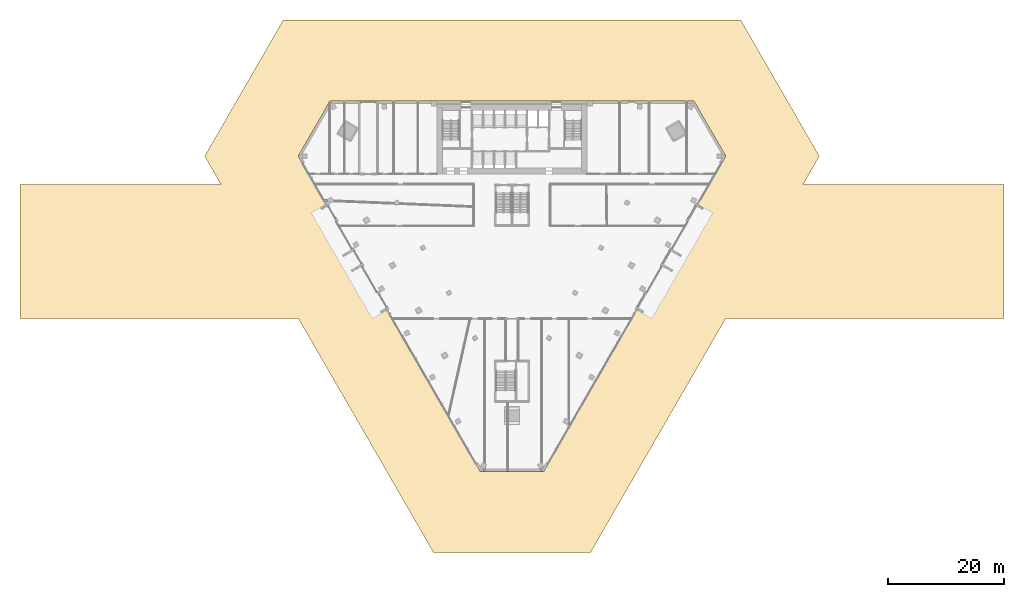
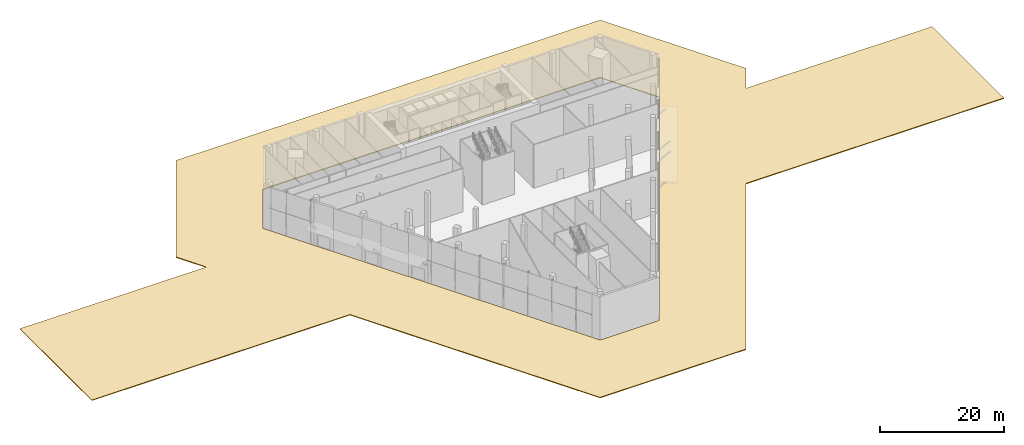
# One storey, part 18 of 21: 1 covering.
"""IFC4 building model written with IfcOpenShell, lengths in metres."""

import ifcopenshell
import ifcopenshell.guid

model = None  # the IFC model being written
_history = None  # IfcOwnerHistory: only IFC2X3 demands one
_inside = {}  # id of a spatial element -> (the spatial element, [elements in it])
_under = {}  # id of a project, library or spatial element -> (it, [spatial elements below it])
_declared = {}  # id of a project -> (the project, [libraries it declares])
_typed = {}  # id of a type object -> (the type object, [elements of that type])
_made_of = {}  # id of a material, layer set ... -> (it, [elements and type objects made of it])


def new_model(schema):
    """Start an empty IFC model of exactly this schema.

    Asked for "IFC4X3", IfcOpenShell would pick the latest addendum, in which some entities
    have other attributes; the version numbers below select the first issue.
    IFC2X3 requires an IfcOwnerHistory on every rooted entity: one is made here for all.
    """
    global model, _history
    if schema == "IFC4X3":
        model = ifcopenshell.file(schema_version=(4, 3, 0, 0))
    else:
        model = ifcopenshell.file(schema=schema)
    _inside.clear()
    _under.clear()
    _declared.clear()
    _typed.clear()
    _made_of.clear()
    _history = None
    if model.schema == "IFC2X3":
        org = make("IfcOrganization", Name="unknown")
        user = make(
            "IfcPersonAndOrganization",
            ThePerson=make("IfcPerson", FamilyName="unknown"),
            TheOrganization=org,
        )
        app = make(
            "IfcApplication",
            ApplicationDeveloper=org,
            Version="unknown",
            ApplicationFullName="unknown",
            ApplicationIdentifier="unknown",
        )
        _history = make(
            "IfcOwnerHistory",
            OwningUser=user,
            OwningApplication=app,
            ChangeAction="ADDED",
            CreationDate=0,
        )
    return model


def make(cls, **values):
    """One entity of the class cls with the attributes given. An attribute that is None is left unset."""
    return model.create_entity(
        cls, **{name: value for name, value in values.items() if value is not None}
    )


def rooted(cls, **values):
    """An entity with a GlobalId (a new one), such as an element, a storey or a relation."""
    return make(cls, GlobalId=ifcopenshell.guid.new(), OwnerHistory=_history, **values)


def si_unit(unit_type, name, prefix=None):
    """IfcSIUnit, for example si_unit("LENGTHUNIT", "METRE", prefix="MILLI")."""
    return make("IfcSIUnit", UnitType=unit_type, Prefix=prefix, Name=name)


def assignment(units):
    """IfcUnitAssignment: the units of a project."""
    return None if units is None else make("IfcUnitAssignment", Units=units)


def point(xyz):
    """IfcCartesianPoint."""
    return None if xyz is None else make("IfcCartesianPoint", Coordinates=xyz)


def direction(xyz):
    """IfcDirection."""
    return None if xyz is None else make("IfcDirection", DirectionRatios=xyz)


def frame(location, z_axis=None, x_axis=None):
    """IfcAxis2Placement3D, a coordinate frame: its origin and axes. An axis left out is left unset."""
    return make(
        "IfcAxis2Placement3D",
        Location=point(location),
        Axis=direction(z_axis),
        RefDirection=direction(x_axis),
    )


def origin():
    """The frame at (0, 0, 0) with its axes left unset."""
    return frame((0.0, 0.0, 0.0))


def place(relative_to, where):
    """IfcLocalPlacement: puts the frame where relative to a parent placement (None: the world)."""
    return make(
        "IfcLocalPlacement", PlacementRelTo=relative_to, RelativePlacement=where
    )


def context(
    kind, dimensions, precision=None, world=None, true_north=None, identifier=None
):
    """IfcGeometricRepresentationContext, for example the 3D "Model" context."""
    return make(
        "IfcGeometricRepresentationContext",
        ContextIdentifier=identifier,
        ContextType=kind,
        CoordinateSpaceDimension=dimensions,
        Precision=precision,
        WorldCoordinateSystem=world,
        TrueNorth=true_north,
    )


def subcontext(parent, identifier, kind, view, scale=None):
    """IfcGeometricRepresentationSubContext, for example "Body" below "Model"."""
    return make(
        "IfcGeometricRepresentationSubContext",
        ContextIdentifier=identifier,
        ContextType=kind,
        ParentContext=parent,
        TargetScale=scale,
        TargetView=view,
    )


def project(units=None, contexts=None):
    """IfcProject with its units and contexts."""
    return rooted(
        "IfcProject",
        Name="project",
        RepresentationContexts=contexts,
        UnitsInContext=assignment(units),
    )


def spatial(cls, under=None, at=None, **own):
    """A site, building, storey or space (cls), placed at a placement, below another one or the project."""
    s = rooted(cls, ObjectPlacement=at, **own)
    if under is not None:
        _under.setdefault(under.id(), (under, []))[1].append(s)
    return s


def polyline(points):
    """IfcPolyline through the points."""
    return make("IfcPolyline", Points=[point(p) for p in points])


def outline(outer, holes=None, kind="AREA"):
    """IfcArbitraryClosedProfileDef: a profile drawn as a closed curve; with holes, ...WithVoids."""
    if holes is None:
        return make("IfcArbitraryClosedProfileDef", ProfileType=kind, OuterCurve=outer)
    return make(
        "IfcArbitraryProfileDefWithVoids",
        ProfileType=kind,
        OuterCurve=outer,
        InnerCurves=holes,
    )


def extrude(swept, where, along, depth):
    """IfcExtrudedAreaSolid: the profile swept, set in the frame where, extruded along a direction by depth."""
    return make(
        "IfcExtrudedAreaSolid",
        SweptArea=swept,
        Position=where,
        ExtrudedDirection=direction(along),
        Depth=depth,
    )


def shape(context_of_items, identifier, shape_type, items):
    """IfcShapeRepresentation: the items that make up one representation, for example the "Body"."""
    return make(
        "IfcShapeRepresentation",
        ContextOfItems=context_of_items,
        RepresentationIdentifier=identifier,
        RepresentationType=shape_type,
        Items=items,
    )


def material(Name=None, Category=None):
    """IfcMaterial."""
    return make("IfcMaterial", Name=Name, Category=Category)


def layer(
    of_material, thickness, ventilated=None, Name=None, Category=None, Priority=None
):
    """IfcMaterialLayer: one layer of a wall or slab, of a material (None: an air gap)."""
    return make(
        "IfcMaterialLayer",
        Material=of_material,
        LayerThickness=thickness,
        IsVentilated=ventilated,
        Name=Name,
        Category=Category,
        Priority=Priority,
    )


def layer_set(layers, Name=None):
    """IfcMaterialLayerSet."""
    return make("IfcMaterialLayerSet", MaterialLayers=layers, LayerSetName=Name)


def made_of(thing, what):
    """Note that an element or type object is made of a material, layer set ...; save() writes the relation."""
    if what is not None:
        _made_of.setdefault(what.id(), (what, []))[1].append(thing)
    return thing


def type_object(cls, material=None, **own):
    """A type object (cls), such as IfcWallType, which elements share."""
    return made_of(rooted(cls, **own), material)


def element(
    cls,
    number,
    at=None,
    inside=None,
    cuts=None,
    type_object=None,
    material=None,
    context=None,
    identifier="Body",
    shape_type=None,
    held_by="IfcProductDefinitionShape",
    body=None,
    shapes=None,
    **own,
):
    """One element of the class cls, such as IfcWall. Its Tag is "e" and its number.

    at: its placement. inside: the storey or other place that contains it. cuts: it is an
    opening in that element (IfcRelVoidsElement). A single representation is given by context,
    identifier, shape_type and body (its items); several are given by shapes. held_by: the class
    of the entity that holds the representations. save() writes the other relations.
    """
    e = rooted(cls, Tag="e%d" % number, ObjectPlacement=at, **own)
    if body is not None:
        shapes = [shape(context, identifier, shape_type, body)]
    if shapes is not None:
        e.Representation = make(held_by, Representations=shapes)
    if inside is not None:
        _inside.setdefault(inside.id(), (inside, []))[1].append(e)
    if cuts is not None:
        rooted(
            "IfcRelVoidsElement", RelatingBuildingElement=cuts, RelatedOpeningElement=e
        )
    if type_object is not None:
        _typed.setdefault(type_object.id(), (type_object, []))[1].append(e)
    return made_of(e, material)


def aggregate(whole, parts):
    """IfcRelAggregates: a whole, such as a stair, and the parts it consists of."""
    return rooted("IfcRelAggregates", RelatingObject=whole, RelatedObjects=parts)


def save(model, path):
    """Write the relations noted so far, then the file.

    IfcRelAggregates (storeys below a building ...), IfcRelContainedInSpatialStructure (elements
    in a storey), IfcRelDefinesByType, IfcRelAssociatesMaterial and IfcRelDeclares: one each for
    every whole, place, type object, material and project.
    """
    for whole, parts in _under.values():
        aggregate(whole, parts)
    for where, things in _inside.values():
        rooted(
            "IfcRelContainedInSpatialStructure",
            RelatedElements=things,
            RelatingStructure=where,
        )
    for kind, things in _typed.values():
        rooted("IfcRelDefinesByType", RelatedObjects=things, RelatingType=kind)
    for what, things in _made_of.values():
        rooted("IfcRelAssociatesMaterial", RelatedObjects=things, RelatingMaterial=what)
    for by, libraries in _declared.values():
        rooted("IfcRelDeclares", RelatingContext=by, RelatedDefinitions=libraries)
    model.write(path)


model = new_model("IFC4")

# Units and contexts
model_context = context("Model", 3, precision=1e-05, world=origin(), true_north=direction((0.0, 1.0)))
body_context = subcontext(model_context, "Body", "Model", "MODEL_VIEW")
ifc_project = project(units=[si_unit("LENGTHUNIT", "METRE"), si_unit("AREAUNIT", "SQUARE_METRE"), si_unit("VOLUMEUNIT", "CUBIC_METRE"), si_unit("PLANEANGLEUNIT", "RADIAN"), si_unit("MASSUNIT", "GRAM", prefix="KILO")], contexts=[model_context])

# Site, building, storey
site_placement = place(None, origin())
site = spatial("IfcSite", under=ifc_project, at=site_placement, CompositionType="ELEMENT")
building_placement = place(site_placement, origin())
building = spatial("IfcBuilding", under=site, at=building_placement, Name="Altiplano Prism Tower", CompositionType="ELEMENT")
storey_placement = place(building_placement, origin())
storey = spatial("IfcBuildingStorey", under=building, at=storey_placement, Name="L00", CompositionType="ELEMENT", Elevation=0.0)

# Covering
ifc_material = material(Name="Granite paving", Category="masonry")
ifc_layer = layer(ifc_material, 0.14990234375)
ifc_layer_set = layer_set([ifc_layer], Name="Granite paving")
covering_type = type_object("IfcCoveringType", Name="Plaza paving 150", PredefinedType="USERDEFINED", material=ifc_layer_set)
covering_placement = place(storey_placement, frame((0.0, 0.0, -0.14990234375)))
element("IfcCovering", 1, at=covering_placement, inside=storey, type_object=covering_type, Name="Plaza paving 1", ObjectType="PAVING", PredefinedType="USERDEFINED", context=body_context, shape_type="SweptSolid", body=[
    extrude(outline(polyline([(170.0, 90.60009765625), (170.0, 67.39990234375), (121.892578125, 67.39990234375), (98.5830078125, 27.0263671875), (71.4169921875, 27.0263671875), (48.107421875, 67.39990234375), (0.0, 67.39990234375), (0.0, 90.60009765625), (34.712890625, 90.60009765625), (31.89892578125, 95.4736328125), (45.48193359375, 119.0), (124.51806640625, 119.0), (138.10107421875, 95.4736328125), (135.287109375, 90.60009765625), (170.0, 90.60009765625)]), holes=[polyline([(53.564697265625, 105.0), (48.064697265625, 95.4736328125), (79.5, 41.0263671875), (90.5, 41.0263671875), (121.935302734375, 95.4736328125), (116.435302734375, 105.0), (53.564697265625, 105.0)])]), origin(), (0.0, 0.0, 1.0), 0.14990234375),
])

save(model, "model.ifc")
